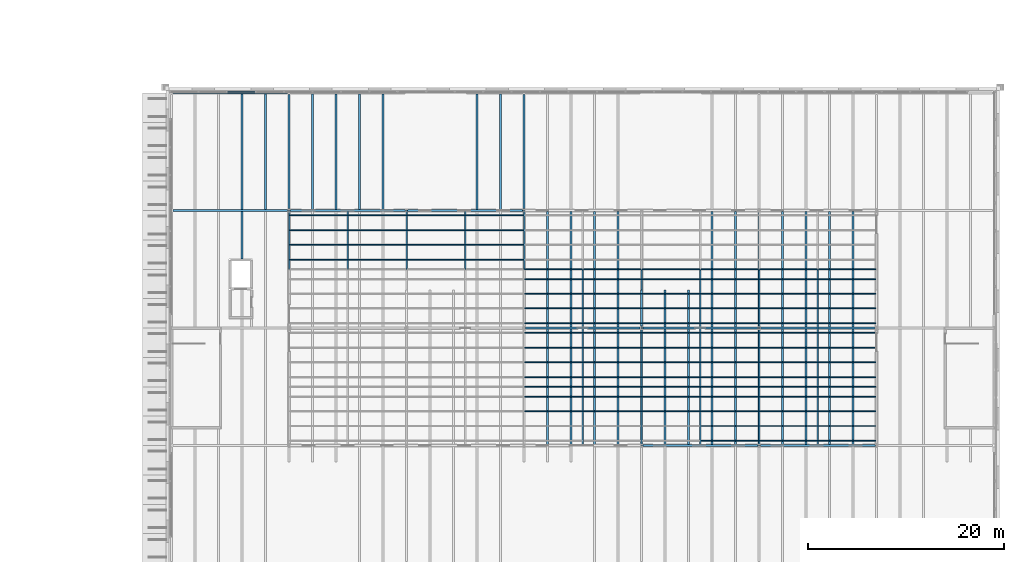
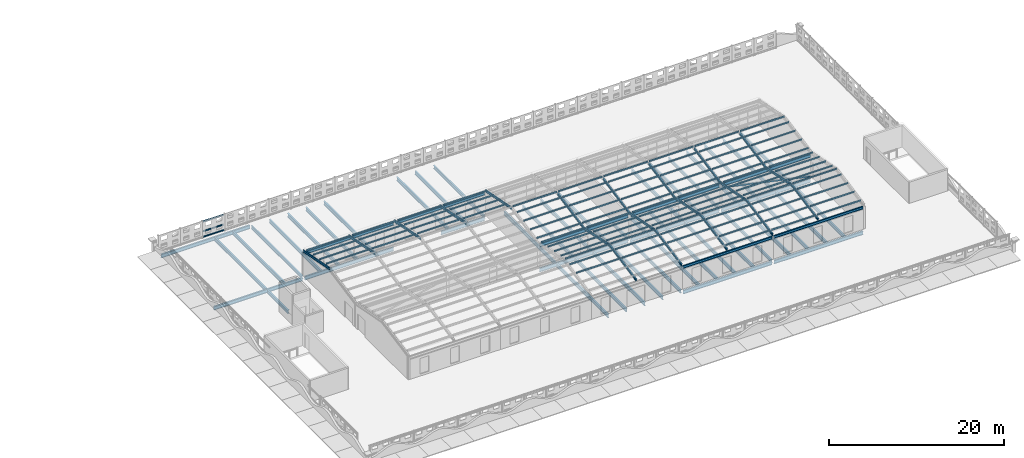
# One storey, part 31 of 91: 98 members, 75 beams.
"""IFC4 building model written with IfcOpenShell, lengths in metres."""

import ifcopenshell
import ifcopenshell.guid

model = None  # the IFC model being written
_history = None  # IfcOwnerHistory: only IFC2X3 demands one
_inside = {}  # id of a spatial element -> (the spatial element, [elements in it])
_under = {}  # id of a project, library or spatial element -> (it, [spatial elements below it])
_declared = {}  # id of a project -> (the project, [libraries it declares])
_typed = {}  # id of a type object -> (the type object, [elements of that type])
_made_of = {}  # id of a material, layer set ... -> (it, [elements and type objects made of it])


def new_model(schema):
    """Start an empty IFC model of exactly this schema.

    Asked for "IFC4X3", IfcOpenShell would pick the latest addendum, in which some entities
    have other attributes; the version numbers below select the first issue.
    IFC2X3 requires an IfcOwnerHistory on every rooted entity: one is made here for all.
    """
    global model, _history
    if schema == "IFC4X3":
        model = ifcopenshell.file(schema_version=(4, 3, 0, 0))
    else:
        model = ifcopenshell.file(schema=schema)
    _inside.clear()
    _under.clear()
    _declared.clear()
    _typed.clear()
    _made_of.clear()
    _history = None
    if model.schema == "IFC2X3":
        org = make("IfcOrganization", Name="unknown")
        user = make(
            "IfcPersonAndOrganization",
            ThePerson=make("IfcPerson", FamilyName="unknown"),
            TheOrganization=org,
        )
        app = make(
            "IfcApplication",
            ApplicationDeveloper=org,
            Version="unknown",
            ApplicationFullName="unknown",
            ApplicationIdentifier="unknown",
        )
        _history = make(
            "IfcOwnerHistory",
            OwningUser=user,
            OwningApplication=app,
            ChangeAction="ADDED",
            CreationDate=0,
        )
    return model


def make(cls, **values):
    """One entity of the class cls with the attributes given. An attribute that is None is left unset."""
    return model.create_entity(
        cls, **{name: value for name, value in values.items() if value is not None}
    )


def rooted(cls, **values):
    """An entity with a GlobalId (a new one), such as an element, a storey or a relation."""
    return make(cls, GlobalId=ifcopenshell.guid.new(), OwnerHistory=_history, **values)


def si_unit(unit_type, name, prefix=None):
    """IfcSIUnit, for example si_unit("LENGTHUNIT", "METRE", prefix="MILLI")."""
    return make("IfcSIUnit", UnitType=unit_type, Prefix=prefix, Name=name)


def assignment(units):
    """IfcUnitAssignment: the units of a project."""
    return None if units is None else make("IfcUnitAssignment", Units=units)


def point(xyz):
    """IfcCartesianPoint."""
    return None if xyz is None else make("IfcCartesianPoint", Coordinates=xyz)


def direction(xyz):
    """IfcDirection."""
    return None if xyz is None else make("IfcDirection", DirectionRatios=xyz)


def frame(location, z_axis=None, x_axis=None):
    """IfcAxis2Placement3D, a coordinate frame: its origin and axes. An axis left out is left unset."""
    return make(
        "IfcAxis2Placement3D",
        Location=point(location),
        Axis=direction(z_axis),
        RefDirection=direction(x_axis),
    )


def frame_2d(location, x_axis=None):
    """IfcAxis2Placement2D, a coordinate frame in the plane: its origin and x axis."""
    return make(
        "IfcAxis2Placement2D", Location=point(location), RefDirection=direction(x_axis)
    )


def origin():
    """The frame at (0, 0, 0) with its axes left unset."""
    return frame((0.0, 0.0, 0.0))


def origin_2d():
    """The frame at (0, 0) in the plane with its x axis left unset."""
    return frame_2d((0.0, 0.0))


def place(relative_to, where):
    """IfcLocalPlacement: puts the frame where relative to a parent placement (None: the world)."""
    return make(
        "IfcLocalPlacement", PlacementRelTo=relative_to, RelativePlacement=where
    )


def context(
    kind, dimensions, precision=None, world=None, true_north=None, identifier=None
):
    """IfcGeometricRepresentationContext, for example the 3D "Model" context."""
    return make(
        "IfcGeometricRepresentationContext",
        ContextIdentifier=identifier,
        ContextType=kind,
        CoordinateSpaceDimension=dimensions,
        Precision=precision,
        WorldCoordinateSystem=world,
        TrueNorth=true_north,
    )


def subcontext(parent, identifier, kind, view, scale=None):
    """IfcGeometricRepresentationSubContext, for example "Body" below "Model"."""
    return make(
        "IfcGeometricRepresentationSubContext",
        ContextIdentifier=identifier,
        ContextType=kind,
        ParentContext=parent,
        TargetScale=scale,
        TargetView=view,
    )


def project(units=None, contexts=None):
    """IfcProject with its units and contexts."""
    return rooted(
        "IfcProject",
        Name="project",
        RepresentationContexts=contexts,
        UnitsInContext=assignment(units),
    )


def spatial(cls, under=None, at=None, **own):
    """A site, building, storey or space (cls), placed at a placement, below another one or the project."""
    s = rooted(cls, ObjectPlacement=at, **own)
    if under is not None:
        _under.setdefault(under.id(), (under, []))[1].append(s)
    return s


def profile(cls, at=None, kind="AREA", **sizes):
    """A parametric profile (cls). Its sizes go by their IFC names, for example OverallWidth=200.0."""
    return make(cls, ProfileType=kind, Position=at, **sizes)


def hollow_rectangle(**sizes):
    """IfcRectangleHollowProfileDef."""
    return profile("IfcRectangleHollowProfileDef", **sizes)


def i_section(**sizes):
    """IfcIShapeProfileDef."""
    return profile("IfcIShapeProfileDef", **sizes)


def extrude(swept, where, along, depth):
    """IfcExtrudedAreaSolid: the profile swept, set in the frame where, extruded along a direction by depth."""
    return make(
        "IfcExtrudedAreaSolid",
        SweptArea=swept,
        Position=where,
        ExtrudedDirection=direction(along),
        Depth=depth,
    )


def shape(context_of_items, identifier, shape_type, items):
    """IfcShapeRepresentation: the items that make up one representation, for example the "Body"."""
    return make(
        "IfcShapeRepresentation",
        ContextOfItems=context_of_items,
        RepresentationIdentifier=identifier,
        RepresentationType=shape_type,
        Items=items,
    )


def material(Name=None, Category=None):
    """IfcMaterial."""
    return make("IfcMaterial", Name=Name, Category=Category)


def material_profile(
    of_material, cross_section, Name=None, Category=None, Priority=None
):
    """IfcMaterialProfile: a cross section and its material."""
    return make(
        "IfcMaterialProfile",
        Name=Name,
        Material=of_material,
        Profile=cross_section,
        Priority=Priority,
        Category=Category,
    )


def profile_set(profiles, Name=None, composite=None):
    """IfcMaterialProfileSet."""
    return make(
        "IfcMaterialProfileSet",
        Name=Name,
        MaterialProfiles=profiles,
        CompositeProfile=composite,
    )


def made_of(thing, what):
    """Note that an element or type object is made of a material, layer set ...; save() writes the relation."""
    if what is not None:
        _made_of.setdefault(what.id(), (what, []))[1].append(thing)
    return thing


def type_object(cls, material=None, **own):
    """A type object (cls), such as IfcWallType, which elements share."""
    return made_of(rooted(cls, **own), material)


def element(
    cls,
    number,
    at=None,
    inside=None,
    cuts=None,
    type_object=None,
    material=None,
    context=None,
    identifier="Body",
    shape_type=None,
    held_by="IfcProductDefinitionShape",
    body=None,
    shapes=None,
    **own,
):
    """One element of the class cls, such as IfcWall. Its Tag is "e" and its number.

    at: its placement. inside: the storey or other place that contains it. cuts: it is an
    opening in that element (IfcRelVoidsElement). A single representation is given by context,
    identifier, shape_type and body (its items); several are given by shapes. held_by: the class
    of the entity that holds the representations. save() writes the other relations.
    """
    e = rooted(cls, Tag="e%d" % number, ObjectPlacement=at, **own)
    if body is not None:
        shapes = [shape(context, identifier, shape_type, body)]
    if shapes is not None:
        e.Representation = make(held_by, Representations=shapes)
    if inside is not None:
        _inside.setdefault(inside.id(), (inside, []))[1].append(e)
    if cuts is not None:
        rooted(
            "IfcRelVoidsElement", RelatingBuildingElement=cuts, RelatedOpeningElement=e
        )
    if type_object is not None:
        _typed.setdefault(type_object.id(), (type_object, []))[1].append(e)
    return made_of(e, material)


def aggregate(whole, parts):
    """IfcRelAggregates: a whole, such as a stair, and the parts it consists of."""
    return rooted("IfcRelAggregates", RelatingObject=whole, RelatedObjects=parts)


def save(model, path):
    """Write the relations noted so far, then the file.

    IfcRelAggregates (storeys below a building ...), IfcRelContainedInSpatialStructure (elements
    in a storey), IfcRelDefinesByType, IfcRelAssociatesMaterial and IfcRelDeclares: one each for
    every whole, place, type object, material and project.
    """
    for whole, parts in _under.values():
        aggregate(whole, parts)
    for where, things in _inside.values():
        rooted(
            "IfcRelContainedInSpatialStructure",
            RelatedElements=things,
            RelatingStructure=where,
        )
    for kind, things in _typed.values():
        rooted("IfcRelDefinesByType", RelatedObjects=things, RelatingType=kind)
    for what, things in _made_of.values():
        rooted("IfcRelAssociatesMaterial", RelatedObjects=things, RelatingMaterial=what)
    for by, libraries in _declared.values():
        rooted("IfcRelDeclares", RelatingContext=by, RelatedDefinitions=libraries)
    model.write(path)


model = new_model("IFC4")

# Units and contexts
model_context = context("Model", 3, precision=1e-05, world=origin(), true_north=direction((0.0, 1.0)))
body_context = subcontext(model_context, "Body", "Model", "MODEL_VIEW")
ifc_project = project(units=[si_unit("LENGTHUNIT", "METRE"), si_unit("AREAUNIT", "SQUARE_METRE"), si_unit("VOLUMEUNIT", "CUBIC_METRE"), si_unit("PLANEANGLEUNIT", "RADIAN"), si_unit("MASSUNIT", "GRAM", prefix="KILO")], contexts=[model_context])

# Site, building, storey
site_placement = place(None, origin())
site = spatial("IfcSite", under=ifc_project, at=site_placement, CompositionType="ELEMENT")
building_placement = place(site_placement, origin())
building = spatial("IfcBuilding", under=site, at=building_placement, Name="Ravi Spectrum Wholesale Market", CompositionType="ELEMENT")
storey_placement = place(building_placement, frame((0.0, 0.0, 16.199951171875)))
storey = spatial("IfcBuildingStorey", under=building, at=storey_placement, Name="ROOF PLANT LEVEL", CompositionType="ELEMENT", Elevation=16.199951171875)

# Members
ifc_material_1 = material(Name="Steel S355", Category="steel")
ifc_material_profile_1 = material_profile(ifc_material_1, i_section(OverallWidth=0.10009765625, OverallDepth=0.199951171875, WebThickness=0.005615234375, FlangeThickness=0.008544921875, at=origin_2d()))
ifc_profile_set_1 = profile_set([ifc_material_profile_1], Name="Steel S355")
member_type_1 = type_object("IfcMemberType", Name="IPE 200 purlin", PredefinedType="PURLIN", material=ifc_profile_set_1)
for number, where, z_axis, x_axis, name in (
    (1, (206.486572265625, 66.14990234375, 0.900146484375), (-1.0, 0.0, 0.0), (0.0, -1.0, 0.0), "CS-MB-ROOF-303"),
    (2, (206.486572265625, 66.14990234375, 2.25), (-1.0, 0.0, 0.0), (0.0, -1.0, 0.0), "CS-MB-ROOF-304"),
    (3, (206.486572265625, 66.05078125, 0.199951171875), (-1.0, 0.0, 0.0), (0.0, -1.0, 0.0), "CS-MB-ROOF-305"),
):
    element("IfcMember", number, at=place(storey_placement, frame(where, z_axis=z_axis, x_axis=x_axis)), inside=storey, type_object=member_type_1, Name=name, PredefinedType="PURLIN", context=body_context, shape_type="SweptSolid", body=[
        extrude(i_section(OverallWidth=0.10009765625, OverallDepth=0.199951171875, WebThickness=0.005615234375, FlangeThickness=0.008544921875, at=origin_2d()), origin(), (0.0, 0.0, 1.0), 2.738525390625),
    ])
for number, where, z_axis, x_axis, name in (
    (4, (210.074951171875, 53.5, 3.684814453125), (1.0, 0.0, 0.0), (0.0, 1.0, 0.0), "CS-MB-ROOF-369"),
    (5, (210.074951171875, 52.0, 3.976318359375), (1.0, 0.0, 0.0), (0.0, 1.0, 0.0), "CS-MB-ROOF-370"),
    (6, (210.074951171875, 50.5, 4.267822265625), (1.0, 0.0, 0.0), (0.0, 1.0, 0.0), "CS-MB-ROOF-371"),
    (7, (210.074951171875, 49.0, 4.559326171875), (1.0, 0.0, 0.0), (0.0, 1.0, 0.0), "CS-MB-ROOF-372"),
    (8, (216.074951171875, 53.5, 3.684814453125), (1.0, 0.0, 0.0), (0.0, 1.0, 0.0), "CS-MB-ROOF-387"),
    (9, (216.074951171875, 52.0, 3.976318359375), (1.0, 0.0, 0.0), (0.0, 1.0, 0.0), "CS-MB-ROOF-388"),
    (10, (216.074951171875, 50.5, 4.267822265625), (1.0, 0.0, 0.0), (0.0, 1.0, 0.0), "CS-MB-ROOF-389"),
    (11, (216.074951171875, 49.0, 4.559326171875), (1.0, 0.0, 0.0), (0.0, 1.0, 0.0), "CS-MB-ROOF-390"),
    (12, (222.074951171875, 53.5, 3.684814453125), (1.0, 0.0, 0.0), (0.0, 1.0, 0.0), "CS-MB-ROOF-405"),
    (13, (222.074951171875, 52.0, 3.976318359375), (1.0, 0.0, 0.0), (0.0, 1.0, 0.0), "CS-MB-ROOF-406"),
    (14, (222.074951171875, 50.5, 4.267822265625), (1.0, 0.0, 0.0), (0.0, 1.0, 0.0), "CS-MB-ROOF-407"),
    (15, (222.074951171875, 49.0, 4.559326171875), (1.0, 0.0, 0.0), (0.0, 1.0, 0.0), "CS-MB-ROOF-408"),
    (16, (228.074951171875, 53.5, 3.684814453125), (1.0, 0.0, 0.0), (0.0, 1.0, 0.0), "CS-MB-ROOF-423"),
    (17, (228.074951171875, 52.0, 3.976318359375), (1.0, 0.0, 0.0), (0.0, 1.0, 0.0), "CS-MB-ROOF-424"),
    (18, (228.074951171875, 50.5, 4.267822265625), (1.0, 0.0, 0.0), (0.0, 1.0, 0.0), "CS-MB-ROOF-425"),
    (19, (228.074951171875, 49.0, 4.559326171875), (1.0, 0.0, 0.0), (0.0, 1.0, 0.0), "CS-MB-ROOF-426"),
    (20, (234.074951171875, 33.5, 4.267822265625), (1.0, 0.0, 0.0), (0.0, 1.0, 0.0), "CS-MB-ROOF-431"),
    (21, (234.074951171875, 35.0, 4.559326171875), (1.0, 0.0, 0.0), (0.0, 1.0, 0.0), "CS-MB-ROOF-432"),
    (22, (234.074951171875, 41.5, 3.684814453125), (1.0, 0.0, 0.0), (0.0, 1.0, 0.0), "CS-MB-ROOF-433"),
    (23, (234.074951171875, 40.0, 3.976318359375), (1.0, 0.0, 0.0), (0.0, 1.0, 0.0), "CS-MB-ROOF-434"),
    (24, (234.074951171875, 38.5, 4.267822265625), (1.0, 0.0, 0.0), (0.0, 1.0, 0.0), "CS-MB-ROOF-435"),
    (25, (234.074951171875, 37.0, 4.559326171875), (1.0, 0.0, 0.0), (0.0, 1.0, 0.0), "CS-MB-ROOF-436"),
    (26, (234.074951171875, 42.5, 3.684814453125), (1.0, 0.0, 0.0), (0.0, 1.0, 0.0), "CS-MB-ROOF-437"),
    (27, (234.074951171875, 44.0, 3.976318359375), (1.0, 0.0, 0.0), (0.0, 1.0, 0.0), "CS-MB-ROOF-438"),
    (28, (234.074951171875, 45.5, 4.267822265625), (1.0, 0.0, 0.0), (0.0, 1.0, 0.0), "CS-MB-ROOF-439"),
    (29, (234.074951171875, 47.0, 4.559326171875), (1.0, 0.0, 0.0), (0.0, 1.0, 0.0), "CS-MB-ROOF-440"),
    (30, (234.074951171875, 36.0, 4.744140625), (1.0, 0.0, 0.0), (0.0, 1.0, 0.0), "CS-MB-ROOF-445"),
    (31, (234.074951171875, 48.0, 4.744140625), (1.0, 0.0, 0.0), (0.0, 1.0, 0.0), "CS-MB-ROOF-446"),
    (32, (240.074951171875, 33.5, 4.267822265625), (1.0, 0.0, 0.0), (0.0, 1.0, 0.0), "CS-MB-ROOF-449"),
    (33, (240.074951171875, 35.0, 4.559326171875), (1.0, 0.0, 0.0), (0.0, 1.0, 0.0), "CS-MB-ROOF-450"),
    (34, (240.074951171875, 41.5, 3.684814453125), (1.0, 0.0, 0.0), (0.0, 1.0, 0.0), "CS-MB-ROOF-451"),
    (35, (240.074951171875, 40.0, 3.976318359375), (1.0, 0.0, 0.0), (0.0, 1.0, 0.0), "CS-MB-ROOF-452"),
    (36, (240.074951171875, 38.5, 4.267822265625), (1.0, 0.0, 0.0), (0.0, 1.0, 0.0), "CS-MB-ROOF-453"),
    (37, (240.074951171875, 37.0, 4.559326171875), (1.0, 0.0, 0.0), (0.0, 1.0, 0.0), "CS-MB-ROOF-454"),
    (38, (240.074951171875, 42.5, 3.684814453125), (1.0, 0.0, 0.0), (0.0, 1.0, 0.0), "CS-MB-ROOF-455"),
    (39, (240.074951171875, 44.0, 3.976318359375), (1.0, 0.0, 0.0), (0.0, 1.0, 0.0), "CS-MB-ROOF-456"),
    (40, (240.074951171875, 45.5, 4.267822265625), (1.0, 0.0, 0.0), (0.0, 1.0, 0.0), "CS-MB-ROOF-457"),
    (41, (240.074951171875, 47.0, 4.559326171875), (1.0, 0.0, 0.0), (0.0, 1.0, 0.0), "CS-MB-ROOF-458"),
    (42, (240.074951171875, 36.0, 4.744140625), (1.0, 0.0, 0.0), (0.0, 1.0, 0.0), "CS-MB-ROOF-463"),
    (43, (240.074951171875, 48.0, 4.744140625), (1.0, 0.0, 0.0), (0.0, 1.0, 0.0), "CS-MB-ROOF-464"),
    (44, (246.074951171875, 33.5, 4.267822265625), (1.0, 0.0, 0.0), (0.0, 1.0, 0.0), "CS-MB-ROOF-467"),
    (45, (246.074951171875, 35.0, 4.559326171875), (1.0, 0.0, 0.0), (0.0, 1.0, 0.0), "CS-MB-ROOF-468"),
    (46, (246.074951171875, 41.5, 3.684814453125), (1.0, 0.0, 0.0), (0.0, 1.0, 0.0), "CS-MB-ROOF-469"),
    (47, (246.074951171875, 40.0, 3.976318359375), (1.0, 0.0, 0.0), (0.0, 1.0, 0.0), "CS-MB-ROOF-470"),
    (48, (246.074951171875, 38.5, 4.267822265625), (1.0, 0.0, 0.0), (0.0, 1.0, 0.0), "CS-MB-ROOF-471"),
    (49, (246.074951171875, 37.0, 4.559326171875), (1.0, 0.0, 0.0), (0.0, 1.0, 0.0), "CS-MB-ROOF-472"),
    (50, (246.074951171875, 42.5, 3.684814453125), (1.0, 0.0, 0.0), (0.0, 1.0, 0.0), "CS-MB-ROOF-473"),
    (51, (246.074951171875, 44.0, 3.976318359375), (1.0, 0.0, 0.0), (0.0, 1.0, 0.0), "CS-MB-ROOF-474"),
    (52, (246.074951171875, 45.5, 4.267822265625), (1.0, 0.0, 0.0), (0.0, 1.0, 0.0), "CS-MB-ROOF-475"),
    (53, (246.074951171875, 47.0, 4.559326171875), (1.0, 0.0, 0.0), (0.0, 1.0, 0.0), "CS-MB-ROOF-476"),
    (54, (246.074951171875, 36.0, 4.744140625), (1.0, 0.0, 0.0), (0.0, 1.0, 0.0), "CS-MB-ROOF-481"),
    (55, (246.074951171875, 48.0, 4.744140625), (1.0, 0.0, 0.0), (0.0, 1.0, 0.0), "CS-MB-ROOF-482"),
    (56, (252.074951171875, 30.5, 3.684814453125), (1.0, 0.0, 0.0), (0.0, 1.0, 0.0), "CS-MB-ROOF-483"),
    (57, (252.074951171875, 32.0, 3.976318359375), (1.0, 0.0, 0.0), (0.0, 1.0, 0.0), "CS-MB-ROOF-484"),
    (58, (252.074951171875, 33.5, 4.267822265625), (1.0, 0.0, 0.0), (0.0, 1.0, 0.0), "CS-MB-ROOF-485"),
    (59, (252.074951171875, 35.0, 4.559326171875), (1.0, 0.0, 0.0), (0.0, 1.0, 0.0), "CS-MB-ROOF-486"),
    (60, (252.074951171875, 41.5, 3.684814453125), (1.0, 0.0, 0.0), (0.0, 1.0, 0.0), "CS-MB-ROOF-487"),
    (61, (252.074951171875, 40.0, 3.976318359375), (1.0, 0.0, 0.0), (0.0, 1.0, 0.0), "CS-MB-ROOF-488"),
    (62, (252.074951171875, 38.5, 4.267822265625), (1.0, 0.0, 0.0), (0.0, 1.0, 0.0), "CS-MB-ROOF-489"),
    (63, (252.074951171875, 37.0, 4.559326171875), (1.0, 0.0, 0.0), (0.0, 1.0, 0.0), "CS-MB-ROOF-490"),
    (64, (252.074951171875, 42.5, 3.684814453125), (1.0, 0.0, 0.0), (0.0, 1.0, 0.0), "CS-MB-ROOF-491"),
    (65, (252.074951171875, 44.0, 3.976318359375), (1.0, 0.0, 0.0), (0.0, 1.0, 0.0), "CS-MB-ROOF-492"),
    (66, (252.074951171875, 45.5, 4.267822265625), (1.0, 0.0, 0.0), (0.0, 1.0, 0.0), "CS-MB-ROOF-493"),
    (67, (252.074951171875, 47.0, 4.559326171875), (1.0, 0.0, 0.0), (0.0, 1.0, 0.0), "CS-MB-ROOF-494"),
    (68, (252.074951171875, 36.0, 4.744140625), (1.0, 0.0, 0.0), (0.0, 1.0, 0.0), "CS-MB-ROOF-499"),
    (69, (252.074951171875, 48.0, 4.744140625), (1.0, 0.0, 0.0), (0.0, 1.0, 0.0), "CS-MB-ROOF-500"),
    (70, (258.074951171875, 30.5, 3.684814453125), (1.0, 0.0, 0.0), (0.0, 1.0, 0.0), "CS-MB-ROOF-501"),
    (71, (258.074951171875, 32.0, 3.976318359375), (1.0, 0.0, 0.0), (0.0, 1.0, 0.0), "CS-MB-ROOF-502"),
    (72, (258.074951171875, 33.5, 4.267822265625), (1.0, 0.0, 0.0), (0.0, 1.0, 0.0), "CS-MB-ROOF-503"),
    (73, (258.074951171875, 35.0, 4.559326171875), (1.0, 0.0, 0.0), (0.0, 1.0, 0.0), "CS-MB-ROOF-504"),
    (74, (258.074951171875, 41.5, 3.684814453125), (1.0, 0.0, 0.0), (0.0, 1.0, 0.0), "CS-MB-ROOF-505"),
    (75, (258.074951171875, 40.0, 3.976318359375), (1.0, 0.0, 0.0), (0.0, 1.0, 0.0), "CS-MB-ROOF-506"),
    (76, (258.074951171875, 38.5, 4.267822265625), (1.0, 0.0, 0.0), (0.0, 1.0, 0.0), "CS-MB-ROOF-507"),
    (77, (258.074951171875, 37.0, 4.559326171875), (1.0, 0.0, 0.0), (0.0, 1.0, 0.0), "CS-MB-ROOF-508"),
    (78, (258.074951171875, 42.5, 3.684814453125), (1.0, 0.0, 0.0), (0.0, 1.0, 0.0), "CS-MB-ROOF-509"),
    (79, (258.074951171875, 44.0, 3.976318359375), (1.0, 0.0, 0.0), (0.0, 1.0, 0.0), "CS-MB-ROOF-510"),
    (80, (258.074951171875, 45.5, 4.267822265625), (1.0, 0.0, 0.0), (0.0, 1.0, 0.0), "CS-MB-ROOF-511"),
    (81, (258.074951171875, 47.0, 4.559326171875), (1.0, 0.0, 0.0), (0.0, 1.0, 0.0), "CS-MB-ROOF-512"),
    (82, (258.074951171875, 36.0, 4.744140625), (1.0, 0.0, 0.0), (0.0, 1.0, 0.0), "CS-MB-ROOF-517"),
    (83, (258.074951171875, 48.0, 4.744140625), (1.0, 0.0, 0.0), (0.0, 1.0, 0.0), "CS-MB-ROOF-518"),
    (84, (264.074951171875, 30.5, 3.684814453125), (1.0, 0.0, 0.0), (0.0, 1.0, 0.0), "CS-MB-ROOF-519"),
    (85, (264.074951171875, 32.0, 3.976318359375), (1.0, 0.0, 0.0), (0.0, 1.0, 0.0), "CS-MB-ROOF-520"),
    (86, (264.074951171875, 33.5, 4.267822265625), (1.0, 0.0, 0.0), (0.0, 1.0, 0.0), "CS-MB-ROOF-521"),
    (87, (264.074951171875, 35.0, 4.559326171875), (1.0, 0.0, 0.0), (0.0, 1.0, 0.0), "CS-MB-ROOF-522"),
    (88, (264.074951171875, 41.5, 3.684814453125), (1.0, 0.0, 0.0), (0.0, 1.0, 0.0), "CS-MB-ROOF-523"),
    (89, (264.074951171875, 40.0, 3.976318359375), (1.0, 0.0, 0.0), (0.0, 1.0, 0.0), "CS-MB-ROOF-524"),
    (90, (264.074951171875, 38.5, 4.267822265625), (1.0, 0.0, 0.0), (0.0, 1.0, 0.0), "CS-MB-ROOF-525"),
    (91, (264.074951171875, 37.0, 4.559326171875), (1.0, 0.0, 0.0), (0.0, 1.0, 0.0), "CS-MB-ROOF-526"),
    (92, (264.074951171875, 42.5, 3.684814453125), (1.0, 0.0, 0.0), (0.0, 1.0, 0.0), "CS-MB-ROOF-527"),
    (93, (264.074951171875, 44.0, 3.976318359375), (1.0, 0.0, 0.0), (0.0, 1.0, 0.0), "CS-MB-ROOF-528"),
    (94, (264.074951171875, 45.5, 4.267822265625), (1.0, 0.0, 0.0), (0.0, 1.0, 0.0), "CS-MB-ROOF-529"),
    (95, (264.074951171875, 47.0, 4.559326171875), (1.0, 0.0, 0.0), (0.0, 1.0, 0.0), "CS-MB-ROOF-530"),
    (96, (264.074951171875, 36.0, 4.744140625), (1.0, 0.0, 0.0), (0.0, 1.0, 0.0), "CS-MB-ROOF-535"),
    (97, (264.074951171875, 48.0, 4.744140625), (1.0, 0.0, 0.0), (0.0, 1.0, 0.0), "CS-MB-ROOF-536"),
):
    element("IfcMember", number, at=place(storey_placement, frame(where, z_axis=z_axis, x_axis=x_axis)), inside=storey, type_object=member_type_1, Name=name, PredefinedType="PURLIN", context=body_context, shape_type="SweptSolid", body=[
        extrude(i_section(OverallWidth=0.10009765625, OverallDepth=0.199951171875, WebThickness=0.005615234375, FlangeThickness=0.008544921875, at=origin_2d()), origin(), (0.0, 0.0, 1.0), 5.85009765625),
    ])

# Beams
ifc_material_2 = material(Name="Steel S355", Category="steel")
ifc_material_profile_2 = material_profile(ifc_material_2, i_section(OverallWidth=0.14990234375, OverallDepth=0.300048828125, WebThickness=0.007080078125, FlangeThickness=0.0107421875, at=origin_2d()))
ifc_profile_set_2 = profile_set([ifc_material_profile_2], Name="Steel S355")
beam_type_1 = type_object("IfcBeamType", Name="IPE 300 beam", PredefinedType="BEAM", material=ifc_profile_set_2)
for number, where, z_axis, x_axis, name in (
    (98, (210.0, 54.028564453125, 3.3193359375), (0.0, -0.981627860336, 0.190805513054), (1.0, 0.0, 0.0), "CS-BM-ROOF-199"),
    (99, (216.0, 54.028564453125, 3.3193359375), (0.0, -0.981627860336, 0.190805513054), (1.0, 0.0, 0.0), "CS-BM-ROOF-203"),
    (100, (222.0, 54.028564453125, 3.3193359375), (0.0, -0.981627860336, 0.190805513054), (1.0, 0.0, 0.0), "CS-BM-ROOF-207"),
    (101, (228.0, 54.028564453125, 3.3193359375), (0.0, -0.981627860336, 0.190805513054), (1.0, 0.0, 0.0), "CS-BM-ROOF-211"),
    (102, (234.0, 54.028564453125, 3.3193359375), (0.0, -0.981627860336, 0.190805513054), (1.0, 0.0, 0.0), "CS-BM-ROOF-215"),
    (103, (240.0, 29.971435546875, 3.3193359375), (0.0, 0.981627860336, 0.190805513054), (-1.0, 0.0, 0.0), "CS-BM-ROOF-216"),
    (104, (240.0, 42.028564453125, 3.3193359375), (0.0, -0.981627860336, 0.190805513054), (1.0, 0.0, 0.0), "CS-BM-ROOF-217"),
    (105, (240.0, 41.971435546875, 3.3193359375), (0.0, 0.981627860336, 0.190805513054), (-1.0, 0.0, 0.0), "CS-BM-ROOF-218"),
    (106, (246.0, 29.971435546875, 3.3193359375), (0.0, 0.981627860336, 0.190805513054), (-1.0, 0.0, 0.0), "CS-BM-ROOF-220"),
    (107, (246.0, 42.028564453125, 3.3193359375), (0.0, -0.981627860336, 0.190805513054), (1.0, 0.0, 0.0), "CS-BM-ROOF-221"),
    (108, (246.0, 41.971435546875, 3.3193359375), (0.0, 0.981627860336, 0.190805513054), (-1.0, 0.0, 0.0), "CS-BM-ROOF-222"),
    (109, (252.0, 29.971435546875, 3.3193359375), (0.0, 0.981627860336, 0.190805513054), (-1.0, 0.0, 0.0), "CS-BM-ROOF-224"),
    (110, (252.0, 42.028564453125, 3.3193359375), (0.0, -0.981627860336, 0.190805513054), (1.0, 0.0, 0.0), "CS-BM-ROOF-225"),
    (111, (252.0, 41.971435546875, 3.3193359375), (0.0, 0.981627860336, 0.190805513054), (-1.0, 0.0, 0.0), "CS-BM-ROOF-226"),
    (112, (258.0, 29.971435546875, 3.3193359375), (0.0, 0.981627860336, 0.190805513054), (-1.0, 0.0, 0.0), "CS-BM-ROOF-228"),
    (113, (258.0, 42.028564453125, 3.3193359375), (0.0, -0.981627860336, 0.190805513054), (1.0, 0.0, 0.0), "CS-BM-ROOF-229"),
    (114, (258.0, 41.971435546875, 3.3193359375), (0.0, 0.981627860336, 0.190805513054), (-1.0, 0.0, 0.0), "CS-BM-ROOF-230"),
    (115, (264.0, 29.971435546875, 3.3193359375), (0.0, 0.981627860336, 0.190805513054), (-1.0, 0.0, 0.0), "CS-BM-ROOF-232"),
    (116, (264.0, 42.028564453125, 3.3193359375), (0.0, -0.981627860336, 0.190805513054), (1.0, 0.0, 0.0), "CS-BM-ROOF-233"),
    (117, (264.0, 41.971435546875, 3.3193359375), (0.0, 0.981627860336, 0.190805513054), (-1.0, 0.0, 0.0), "CS-BM-ROOF-234"),
):
    element("IfcBeam", number, at=place(storey_placement, frame(where, z_axis=z_axis, x_axis=x_axis)), inside=storey, type_object=beam_type_1, Name=name, PredefinedType="BEAM", context=body_context, shape_type="SweptSolid", body=[
        extrude(i_section(OverallWidth=0.14990234375, OverallDepth=0.300048828125, WebThickness=0.007080078125, FlangeThickness=0.0107421875, at=origin_2d()), origin(), (0.0, 0.0, 1.0), 6.1123046875),
    ])
ifc_material_3 = material(Name="Steel S355", Category="steel")
ifc_material_profile_3 = material_profile(ifc_material_3, i_section(OverallWidth=0.169921875, OverallDepth=0.360107421875, WebThickness=0.008056640625, FlangeThickness=0.0126953125, at=origin_2d()))
ifc_profile_set_3 = profile_set([ifc_material_profile_3], Name="Steel S355")
beam_type_2 = type_object("IfcBeamType", Name="IPE 360 beam", PredefinedType="BEAM", material=ifc_profile_set_3)
for number, where, z_axis, x_axis, name in (
    (118, (246.1201171875, 30.0, 2.9921875), (1.0, 0.0, 0.0), (0.0, 1.0, 0.0), "CS-BM-ROOF-184"),
    (119, (258.1201171875, 30.0, 2.9921875), (1.0, 0.0, 0.0), (0.0, 1.0, 0.0), "CS-BM-ROOF-185"),
    (120, (210.1201171875, 54.0, 2.9921875), (1.0, 0.0, 0.0), (0.0, 1.0, 0.0), "CS-BM-ROOF-191"),
    (121, (222.1201171875, 54.0, 2.9921875), (1.0, 0.0, 0.0), (0.0, 1.0, 0.0), "CS-BM-ROOF-192"),
):
    element("IfcBeam", number, at=place(storey_placement, frame(where, z_axis=z_axis, x_axis=x_axis)), inside=storey, type_object=beam_type_2, Name=name, PredefinedType="BEAM", context=body_context, shape_type="SweptSolid", body=[
        extrude(i_section(OverallWidth=0.169921875, OverallDepth=0.360107421875, WebThickness=0.008056640625, FlangeThickness=0.0126953125, at=origin_2d()), origin(), (0.0, 0.0, 1.0), 11.759765625),
    ])
ifc_material_4 = material(Name="Steel S355", Category="steel")
ifc_material_profile_4 = material_profile(ifc_material_4, i_section(OverallWidth=0.18994140625, OverallDepth=0.449951171875, WebThickness=0.009521484375, FlangeThickness=0.0146484375, at=origin_2d()))
ifc_profile_set_4 = profile_set([ifc_material_profile_4], Name="Steel S355")
beam_type_3 = type_object("IfcBeamType", Name="IPE 450 girder", PredefinedType="BEAM", material=ifc_profile_set_4)
for number, where, z_axis, x_axis, name in (
    (122, (210.0, 54.199951171875, -0.474853515625), (0.0, 1.0, 0.0), (-1.0, 0.0, 0.0), "CS-BM-ROOF-044"),
    (123, (234.0, 54.199951171875, -0.474853515625), (0.0, 1.0, 0.0), (-1.0, 0.0, 0.0), "CS-BM-ROOF-051"),
):
    element("IfcBeam", number, at=place(storey_placement, frame(where, z_axis=z_axis, x_axis=x_axis)), inside=storey, type_object=beam_type_3, Name=name, PredefinedType="BEAM", context=body_context, shape_type="SweptSolid", body=[
        extrude(i_section(OverallWidth=0.18994140625, OverallDepth=0.449951171875, WebThickness=0.009521484375, FlangeThickness=0.0146484375, at=origin_2d()), origin(), (0.0, 0.0, 1.0), 11.630126953125),
    ])
beam_1_placement = place(storey_placement, frame((246.0, 30.199951171875, -0.474853515625), z_axis=(0.0, 1.0, 0.0), x_axis=(-1.0, 0.0, 0.0)))
element("IfcBeam", 124, at=beam_1_placement, inside=storey, type_object=beam_type_3, Name="CS-BM-ROOF-053", PredefinedType="BEAM", context=body_context, shape_type="SweptSolid", body=[
    extrude(i_section(OverallWidth=0.18994140625, OverallDepth=0.449951171875, WebThickness=0.009521484375, FlangeThickness=0.0146484375, at=origin_2d()), origin(), (0.0, 0.0, 1.0), 11.60009765625),
])
beam_2_placement = place(storey_placement, frame((246.0, 42.199951171875, -0.474853515625), z_axis=(0.0, 1.0, 0.0), x_axis=(-1.0, 0.0, 0.0)))
element("IfcBeam", 125, at=beam_2_placement, inside=storey, type_object=beam_type_3, Name="CS-BM-ROOF-054", PredefinedType="BEAM", context=body_context, shape_type="SweptSolid", body=[
    extrude(i_section(OverallWidth=0.18994140625, OverallDepth=0.449951171875, WebThickness=0.009521484375, FlangeThickness=0.0146484375, at=origin_2d()), origin(), (0.0, 0.0, 1.0), 3.675048828125),
])
for number, where, z_axis, x_axis, name in (
    (126, (258.0, 30.199951171875, -0.474853515625), (0.0, 1.0, 0.0), (-1.0, 0.0, 0.0), "CS-BM-ROOF-056"),
    (127, (258.0, 42.199951171875, -0.474853515625), (0.0, 1.0, 0.0), (-1.0, 0.0, 0.0), "CS-BM-ROOF-057"),
):
    element("IfcBeam", number, at=place(storey_placement, frame(where, z_axis=z_axis, x_axis=x_axis)), inside=storey, type_object=beam_type_3, Name=name, PredefinedType="BEAM", context=body_context, shape_type="SweptSolid", body=[
        extrude(i_section(OverallWidth=0.18994140625, OverallDepth=0.449951171875, WebThickness=0.009521484375, FlangeThickness=0.0146484375, at=origin_2d()), origin(), (0.0, 0.0, 1.0), 11.60009765625),
    ])
for number, where, z_axis, x_axis, name in (
    (128, (234.14990234375, 42.0, 2.947265625), (1.0, 0.0, 0.0), (0.0, 1.0, 0.0), "CS-BM-ROOF-188"),
    (129, (246.14990234375, 42.0, 2.947265625), (1.0, 0.0, 0.0), (0.0, 1.0, 0.0), "CS-BM-ROOF-189"),
    (130, (258.14990234375, 42.0, 2.947265625), (1.0, 0.0, 0.0), (0.0, 1.0, 0.0), "CS-BM-ROOF-190"),
):
    element("IfcBeam", number, at=place(storey_placement, frame(where, z_axis=z_axis, x_axis=x_axis)), inside=storey, type_object=beam_type_3, Name=name, PredefinedType="BEAM", context=body_context, shape_type="SweptSolid", body=[
        extrude(i_section(OverallWidth=0.18994140625, OverallDepth=0.449951171875, WebThickness=0.009521484375, FlangeThickness=0.0146484375, at=origin_2d()), origin(), (0.0, 0.0, 1.0), 11.7001953125),
    ])
ifc_material_5 = material(Name="Steel S355", Category="steel")
ifc_material_profile_5 = material_profile(ifc_material_5, i_section(OverallWidth=0.199951171875, OverallDepth=0.5, WebThickness=0.01025390625, FlangeThickness=0.01611328125, at=origin_2d()))
ifc_profile_set_5 = profile_set([ifc_material_profile_5], Name="Steel S355")
beam_type_4 = type_object("IfcBeamType", Name="IPE 500 beam", PredefinedType="BEAM", material=ifc_profile_set_5)
for number, where, z_axis, x_axis, name in (
    (131, (246.14990234375, 30.0, -0.5), (1.0, 0.0, 0.0), (0.0, 1.0, 0.0), "CS-BM-ROOF-012"),
    (132, (258.14990234375, 30.0, -0.5), (1.0, 0.0, 0.0), (0.0, 1.0, 0.0), "CS-BM-ROOF-013"),
    (133, (234.14990234375, 42.0, -0.5), (1.0, 0.0, 0.0), (0.0, 1.0, 0.0), "CS-BM-ROOF-018"),
    (134, (246.14990234375, 42.0, -0.5), (1.0, 0.0, 0.0), (0.0, 1.0, 0.0), "CS-BM-ROOF-019"),
    (135, (258.14990234375, 42.0, -0.5), (1.0, 0.0, 0.0), (0.0, 1.0, 0.0), "CS-BM-ROOF-020"),
    (136, (198.14990234375, 54.0, -0.5), (1.0, 0.0, 0.0), (0.0, 1.0, 0.0), "CS-BM-ROOF-022"),
    (137, (210.14990234375, 54.0, -0.5), (1.0, 0.0, 0.0), (0.0, 1.0, 0.0), "CS-BM-ROOF-023"),
):
    element("IfcBeam", number, at=place(storey_placement, frame(where, z_axis=z_axis, x_axis=x_axis)), inside=storey, type_object=beam_type_4, Name=name, PredefinedType="BEAM", context=body_context, shape_type="SweptSolid", body=[
        extrude(i_section(OverallWidth=0.199951171875, OverallDepth=0.5, WebThickness=0.01025390625, FlangeThickness=0.01611328125, at=origin_2d()), origin(), (0.0, 0.0, 1.0), 11.7001953125),
    ])
beam_3_placement = place(storey_placement, frame((228.125, 54.0, -0.5), z_axis=(1.0, 0.0, 0.0), x_axis=(0.0, 1.0, 0.0)))
element("IfcBeam", 138, at=beam_3_placement, inside=storey, type_object=beam_type_4, Name="CS-BM-ROOF-024", PredefinedType="BEAM", context=body_context, shape_type="SweptSolid", body=[
    extrude(i_section(OverallWidth=0.199951171875, OverallDepth=0.5, WebThickness=0.01025390625, FlangeThickness=0.01611328125, at=origin_2d()), origin(), (0.0, 0.0, 1.0), 5.72509765625),
])
beam_4_placement = place(storey_placement, frame((198.14990234375, 66.0, -0.5), z_axis=(1.0, 0.0, 0.0), x_axis=(0.0, 1.0, 0.0)))
element("IfcBeam", 139, at=beam_4_placement, inside=storey, type_object=beam_type_4, Name="CS-BM-ROOF-029", PredefinedType="BEAM", context=body_context, shape_type="SweptSolid", body=[
    extrude(i_section(OverallWidth=0.199951171875, OverallDepth=0.5, WebThickness=0.01025390625, FlangeThickness=0.01611328125, at=origin_2d()), origin(), (0.0, 0.0, 1.0), 11.7001953125),
])
beam_5_placement = place(storey_placement, frame((205.199951171875, 49.074951171875, -0.5), z_axis=(0.0, 1.0, 0.0), x_axis=(-1.0, 0.0, 0.0)))
element("IfcBeam", 140, at=beam_5_placement, inside=storey, type_object=beam_type_4, Name="CS-BM-ROOF-079", PredefinedType="BEAM", context=body_context, shape_type="SweptSolid", body=[
    extrude(i_section(OverallWidth=0.199951171875, OverallDepth=0.5, WebThickness=0.01025390625, FlangeThickness=0.01611328125, at=origin_2d()), origin(), (0.0, 0.0, 1.0), 4.824951171875),
])
for number, where, z_axis, x_axis, name in (
    (141, (205.199951171875, 54.10009765625, -0.5), (0.0, 1.0, 0.0), (-1.0, 0.0, 0.0), "CS-BM-ROOF-084"),
    (142, (207.60009765625, 54.10009765625, -0.5), (0.0, 1.0, 0.0), (-1.0, 0.0, 0.0), "CS-BM-ROOF-085"),
    (143, (212.39990234375, 54.10009765625, -0.5), (0.0, 1.0, 0.0), (-1.0, 0.0, 0.0), "CS-BM-ROOF-098"),
    (144, (214.800048828125, 54.10009765625, -0.5), (0.0, 1.0, 0.0), (-1.0, 0.0, 0.0), "CS-BM-ROOF-099"),
    (145, (217.199951171875, 54.10009765625, -0.5), (0.0, 1.0, 0.0), (-1.0, 0.0, 0.0), "CS-BM-ROOF-100"),
    (146, (219.60009765625, 54.10009765625, -0.5), (0.0, 1.0, 0.0), (-1.0, 0.0, 0.0), "CS-BM-ROOF-101"),
    (147, (229.199951171875, 54.10009765625, -0.5), (0.0, 1.0, 0.0), (-1.0, 0.0, 0.0), "CS-BM-ROOF-114"),
    (148, (231.60009765625, 54.10009765625, -0.5), (0.0, 1.0, 0.0), (-1.0, 0.0, 0.0), "CS-BM-ROOF-115"),
    (149, (236.39990234375, 30.10009765625, -0.5), (0.0, 1.0, 0.0), (-1.0, 0.0, 0.0), "CS-BM-ROOF-120"),
    (150, (238.800048828125, 30.10009765625, -0.5), (0.0, 1.0, 0.0), (-1.0, 0.0, 0.0), "CS-BM-ROOF-121"),
    (151, (241.199951171875, 30.10009765625, -0.5), (0.0, 1.0, 0.0), (-1.0, 0.0, 0.0), "CS-BM-ROOF-122"),
    (152, (243.60009765625, 30.10009765625, -0.5), (0.0, 1.0, 0.0), (-1.0, 0.0, 0.0), "CS-BM-ROOF-123"),
    (153, (236.39990234375, 42.10009765625, -0.5), (0.0, 1.0, 0.0), (-1.0, 0.0, 0.0), "CS-BM-ROOF-124"),
    (154, (238.800048828125, 42.10009765625, -0.5), (0.0, 1.0, 0.0), (-1.0, 0.0, 0.0), "CS-BM-ROOF-125"),
    (155, (241.199951171875, 42.10009765625, -0.5), (0.0, 1.0, 0.0), (-1.0, 0.0, 0.0), "CS-BM-ROOF-126"),
    (156, (243.60009765625, 42.10009765625, -0.5), (0.0, 1.0, 0.0), (-1.0, 0.0, 0.0), "CS-BM-ROOF-127"),
    (157, (248.39990234375, 30.10009765625, -0.5), (0.0, 1.0, 0.0), (-1.0, 0.0, 0.0), "CS-BM-ROOF-136"),
    (158, (250.800048828125, 30.10009765625, -0.5), (0.0, 1.0, 0.0), (-1.0, 0.0, 0.0), "CS-BM-ROOF-137"),
    (159, (253.199951171875, 30.10009765625, -0.5), (0.0, 1.0, 0.0), (-1.0, 0.0, 0.0), "CS-BM-ROOF-138"),
    (160, (255.60009765625, 30.10009765625, -0.5), (0.0, 1.0, 0.0), (-1.0, 0.0, 0.0), "CS-BM-ROOF-139"),
):
    element("IfcBeam", number, at=place(storey_placement, frame(where, z_axis=z_axis, x_axis=x_axis)), inside=storey, type_object=beam_type_4, Name=name, PredefinedType="BEAM", context=body_context, shape_type="SweptSolid", body=[
        extrude(i_section(OverallWidth=0.199951171875, OverallDepth=0.5, WebThickness=0.01025390625, FlangeThickness=0.01611328125, at=origin_2d()), origin(), (0.0, 0.0, 1.0), 11.7998046875),
    ])
for number, where, z_axis, x_axis, name in (
    (161, (248.39990234375, 42.10009765625, -0.5), (0.0, 1.0, 0.0), (-1.0, 0.0, 0.0), "CS-BM-ROOF-140"),
    (162, (250.800048828125, 42.10009765625, -0.5), (0.0, 1.0, 0.0), (-1.0, 0.0, 0.0), "CS-BM-ROOF-141"),
):
    element("IfcBeam", number, at=place(storey_placement, frame(where, z_axis=z_axis, x_axis=x_axis)), inside=storey, type_object=beam_type_4, Name=name, PredefinedType="BEAM", context=body_context, shape_type="SweptSolid", body=[
        extrude(i_section(OverallWidth=0.199951171875, OverallDepth=0.5, WebThickness=0.01025390625, FlangeThickness=0.01611328125, at=origin_2d()), origin(), (0.0, 0.0, 1.0), 3.77490234375),
    ])
for number, where, z_axis, x_axis, name in (
    (163, (253.199951171875, 42.10009765625, -0.5), (0.0, 1.0, 0.0), (-1.0, 0.0, 0.0), "CS-BM-ROOF-142"),
    (164, (255.60009765625, 42.10009765625, -0.5), (0.0, 1.0, 0.0), (-1.0, 0.0, 0.0), "CS-BM-ROOF-143"),
    (165, (260.39990234375, 30.10009765625, -0.5), (0.0, 1.0, 0.0), (-1.0, 0.0, 0.0), "CS-BM-ROOF-150"),
    (166, (262.800048828125, 30.10009765625, -0.5), (0.0, 1.0, 0.0), (-1.0, 0.0, 0.0), "CS-BM-ROOF-151"),
    (167, (265.199951171875, 30.10009765625, -0.5), (0.0, 1.0, 0.0), (-1.0, 0.0, 0.0), "CS-BM-ROOF-152"),
    (168, (267.60009765625, 30.10009765625, -0.5), (0.0, 1.0, 0.0), (-1.0, 0.0, 0.0), "CS-BM-ROOF-153"),
    (169, (260.39990234375, 42.10009765625, -0.5), (0.0, 1.0, 0.0), (-1.0, 0.0, 0.0), "CS-BM-ROOF-154"),
    (170, (262.800048828125, 42.10009765625, -0.5), (0.0, 1.0, 0.0), (-1.0, 0.0, 0.0), "CS-BM-ROOF-155"),
    (171, (265.199951171875, 42.10009765625, -0.5), (0.0, 1.0, 0.0), (-1.0, 0.0, 0.0), "CS-BM-ROOF-156"),
    (172, (267.60009765625, 42.10009765625, -0.5), (0.0, 1.0, 0.0), (-1.0, 0.0, 0.0), "CS-BM-ROOF-157"),
):
    element("IfcBeam", number, at=place(storey_placement, frame(where, z_axis=z_axis, x_axis=x_axis)), inside=storey, type_object=beam_type_4, Name=name, PredefinedType="BEAM", context=body_context, shape_type="SweptSolid", body=[
        extrude(i_section(OverallWidth=0.199951171875, OverallDepth=0.5, WebThickness=0.01025390625, FlangeThickness=0.01611328125, at=origin_2d()), origin(), (0.0, 0.0, 1.0), 11.7998046875),
    ])

# Member
ifc_material_6 = material(Name="Steel S355", Category="steel")
ifc_material_profile_6 = material_profile(ifc_material_6, hollow_rectangle(XDim=0.199951171875, YDim=0.199951171875, WallThickness=0.008056640625, InnerFilletRadius=0.008056640625, OuterFilletRadius=0.01611328125, at=origin_2d()))
ifc_profile_set_6 = profile_set([ifc_material_profile_6], Name="Steel S355")
member_type_2 = type_object("IfcMemberType", Name="SHS 200x200x8 brace", PredefinedType="BRACE", material=ifc_profile_set_6)
member_placement = place(storey_placement, frame((258.171142578125, 42.0, 2.62451171875), z_axis=(0.977309724951, 0.0, -0.211815253267), x_axis=(0.0, 1.0, 0.0)))
element("IfcMember", 173, at=member_placement, inside=storey, type_object=member_type_2, Name="CS-MB-ROOF-538", PredefinedType="BRACE", context=body_context, shape_type="SweptSolid", body=[
    extrude(hollow_rectangle(XDim=0.199951171875, YDim=0.199951171875, WallThickness=0.008056640625, InnerFilletRadius=0.008056640625, OuterFilletRadius=0.01611328125, at=origin_2d()), origin(), (0.0, 0.0, 1.0), 11.928466796875),
])

save(model, "model.ifc")
